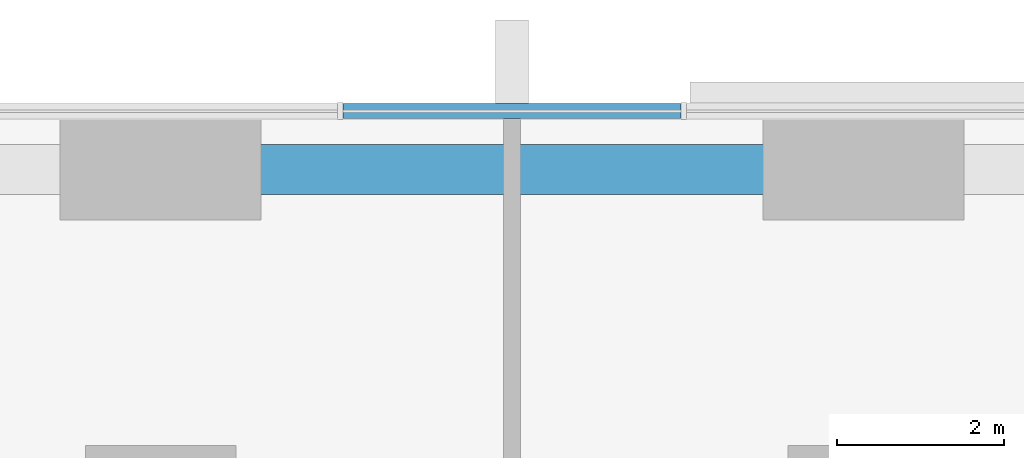
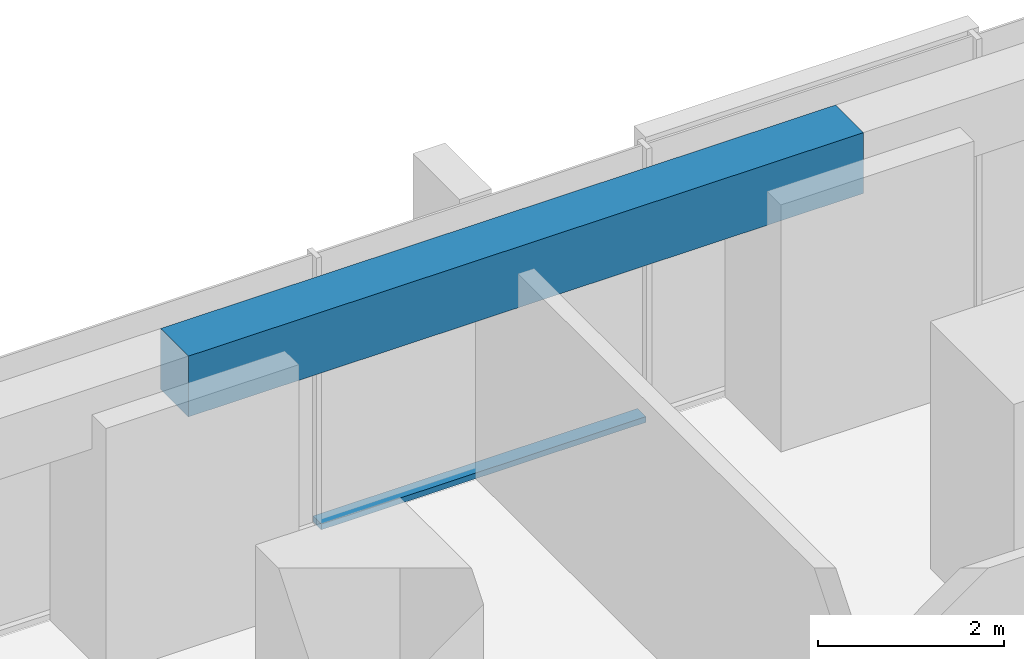
# One storey, part 7 of 17: 1 beam, 1 member, 1 element without a shape of its own.
"""IFC4 building model written with IfcOpenShell, lengths in metres."""

from ifc_helpers import new_model, si_unit, direction, frame, origin, origin_2d, place, context, subcontext, project, spatial, rectangle, extrude, material, material_profile, profile_set, type_object, element, aggregate, save


model = new_model("IFC4")

# Units and contexts
model_context = context("Model", 3, precision=1e-05, world=origin(), true_north=direction((0.0, 1.0)))
body_context = subcontext(model_context, "Body", "Model", "MODEL_VIEW")
ifc_project = project(units=[si_unit("LENGTHUNIT", "METRE"), si_unit("AREAUNIT", "SQUARE_METRE"), si_unit("VOLUMEUNIT", "CUBIC_METRE"), si_unit("PLANEANGLEUNIT", "RADIAN"), si_unit("MASSUNIT", "GRAM", prefix="KILO")], contexts=[model_context])

# Site, building, storey
site_placement = place(None, origin())
site = spatial("IfcSite", under=ifc_project, at=site_placement, CompositionType="ELEMENT")
building_placement = place(site_placement, origin())
building = spatial("IfcBuilding", under=site, at=building_placement, Name="Dunama Terrace Hotel", CompositionType="ELEMENT")
storey_placement = place(building_placement, frame((0.0, 0.0, 77.39990234375)))
storey = spatial("IfcBuildingStorey", under=building, at=storey_placement, Name="L19", CompositionType="ELEMENT", Elevation=77.39990234375)

# Curtain wall, member
ifc_material_1 = material(Name="Aluminium curtain wall system", Category="aluminium")
curtain_wall_type = type_object("IfcCurtainWallType", Name="Unitised fritted glass wall CW-A", PredefinedType="NOTDEFINED", material=ifc_material_1)
curtain_wall_placement = place(storey_placement, origin())
curtain_wall = element("IfcCurtainWall", 1, at=curtain_wall_placement, inside=storey, type_object=curtain_wall_type, Name="Unitised fritted glass wall CW-A L19", PredefinedType="NOTDEFINED")
ifc_material_2 = material(Name="Aluminium transom", Category="aluminium")
ifc_material_profile_1 = material_profile(ifc_material_2, rectangle(XDim=0.179931640625, YDim=0.074951171875, at=origin_2d()), Name="CWA TRANSOM 180X75")
ifc_profile_set_1 = profile_set([ifc_material_profile_1], Name="Aluminium transom")
member_type = type_object("IfcMemberType", Name="CWA transom 180x75", PredefinedType="USERDEFINED", material=ifc_profile_set_1)
member_placement = place(storey_placement, frame((31.4208984375, 58.89990234375, 0.03759765625), z_axis=(-1.0, 0.0, 0.0), x_axis=(0.0, -1.0, 0.0)))
member = element("IfcMember", 2, at=member_placement, type_object=member_type, Name="CWA transom", ObjectType="TRANSOM", PredefinedType="USERDEFINED", context=body_context, shape_type="SweptSolid", body=[
    extrude(rectangle(XDim=0.179931640625, YDim=0.074951171875, at=origin_2d()), origin(), (0.0, 0.0, 1.0), 4.0419921875),
])
aggregate(curtain_wall, [member])

# Beam
ifc_material_3 = material(Name="Concrete C40/50", Category="concrete")
ifc_material_profile_2 = material_profile(ifc_material_3, rectangle(XDim=0.60009765625, YDim=0.800048828125, at=origin_2d()), Name="RC 600x800")
ifc_profile_set_2 = profile_set([ifc_material_profile_2], Name="Concrete C40/50")
beam_type = type_object("IfcBeamType", Name="Edge beam RC 600x800", PredefinedType="SPANDREL", material=ifc_profile_set_2)
beam_placement = place(storey_placement, frame((25.199951171875, 58.199951171875, 3.2001953125), z_axis=(1.0, 0.0, 0.0), x_axis=(0.0, 1.0, 0.0)))
element("IfcBeam", 3, at=beam_placement, inside=storey, type_object=beam_type, Name="Edge beam under L20", PredefinedType="SPANDREL", context=body_context, shape_type="SweptSolid", body=[
    extrude(rectangle(XDim=0.60009765625, YDim=0.800048828125, at=origin_2d()), origin(), (0.0, 0.0, 1.0), 8.400146484375),
])

save(model, "model.ifc")
